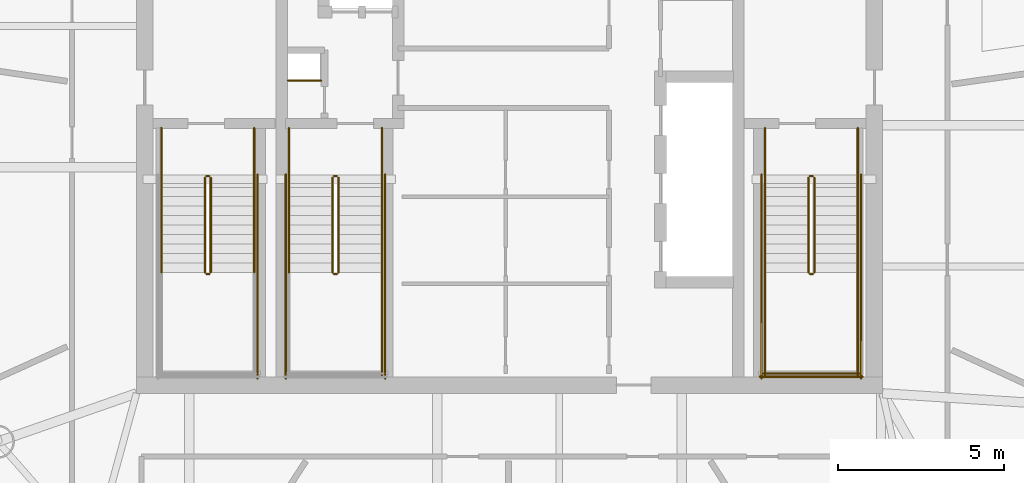
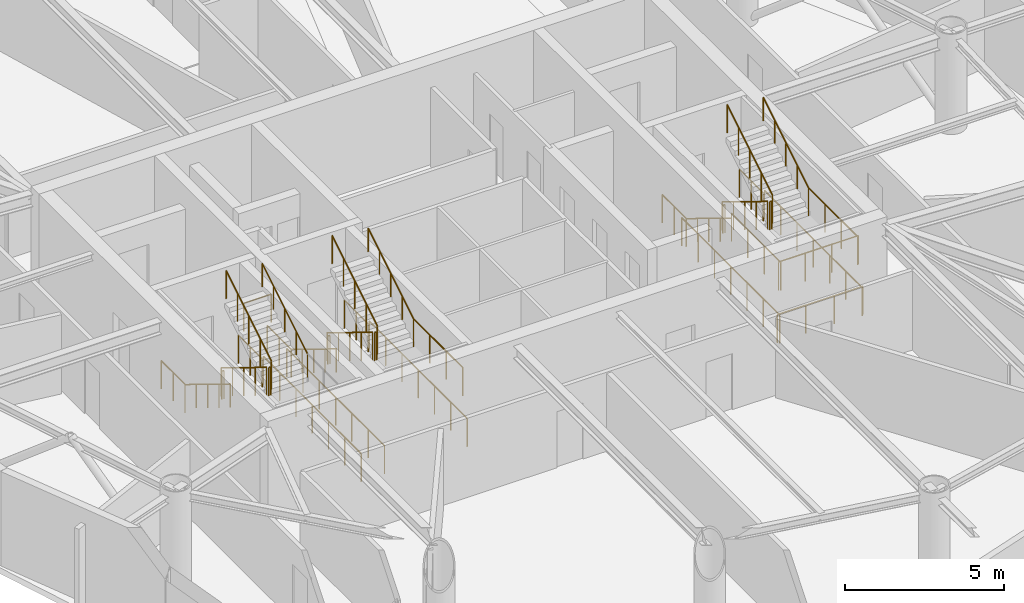
# One storey, part 18 of 19: 35 railings.
"""IFC4 building model written with IfcOpenShell, lengths in metres."""

from ifc_helpers import new_model, si_unit, direction, frame, origin, origin_2d, place, context, subcontext, project, spatial, circle, extrude, material, type_object, element, save


model = new_model("IFC4")

# Units and contexts
model_context = context("Model", 3, precision=1e-05, world=origin(), true_north=direction((0.0, 1.0)))
body_context = subcontext(model_context, "Body", "Model", "MODEL_VIEW")
ifc_project = project(units=[si_unit("LENGTHUNIT", "METRE"), si_unit("AREAUNIT", "SQUARE_METRE"), si_unit("VOLUMEUNIT", "CUBIC_METRE"), si_unit("PLANEANGLEUNIT", "RADIAN"), si_unit("MASSUNIT", "GRAM", prefix="KILO")], contexts=[model_context])

# Site, building, storey
site_placement = place(None, origin())
site = spatial("IfcSite", under=ifc_project, at=site_placement, CompositionType="ELEMENT")
building_placement = place(site_placement, origin())
building = spatial("IfcBuilding", under=site, at=building_placement, Name="Bramvorn Convention Spire", CompositionType="ELEMENT")
storey_placement = place(building_placement, frame((0.0, 0.0, 272.85009765625)))
storey = spatial("IfcBuildingStorey", under=building, at=storey_placement, Name="L69", CompositionType="ELEMENT", Elevation=272.85009765625)

# Railings
ifc_material_1 = material(Name="Painted Steel Balustrade & Guardrail", Category="steel")
railing_type_1 = type_object("IfcRailingType", Name="RL-STAIR-GUARD-1100", PredefinedType="GUARDRAIL", material=ifc_material_1)
railing_1_placement = place(storey_placement, frame((28.81005859375, 25.050048828125, 0.1748046875)))
element("IfcRailing", 1, at=railing_1_placement, inside=storey, type_object=railing_type_1, Name="L69 ST1 stair guard 1", PredefinedType="GUARDRAIL", context=body_context, shape_type="SweptSolid", body=[
    extrude(circle(Radius=0.02392578125, at=origin_2d()), frame((0.0, 0.0, 1.076171875), z_axis=(0.0, -0.852179220489, 0.52325001306), x_axis=(1.0, 0.0, 0.0)), (0.0, 0.0, 1.0), 3.344482421875),
    extrude(circle(Radius=0.02099609375, at=origin_2d()), origin(), (0.0, 0.0, 1.0), 1.052001953125),
    extrude(circle(Radius=0.02099609375, at=origin_2d()), frame((0.0, -0.71240234375, 0.4375)), (0.0, 0.0, 1.0), 1.052001953125),
    extrude(circle(Radius=0.02099609375, at=origin_2d()), frame((0.0, -1.425048828125, 0.875)), (0.0, 0.0, 1.0), 1.052001953125),
    extrude(circle(Radius=0.02099609375, at=origin_2d()), frame((0.0, -2.1376953125, 1.3125)), (0.0, 0.0, 1.0), 1.052001953125),
    extrude(circle(Radius=0.02099609375, at=origin_2d()), frame((0.0, -2.85009765625, 1.75)), (0.0, 0.0, 1.0), 1.052001953125),
])
railing_2_placement = place(storey_placement, frame((28.860107421875, 22.14990234375, 1.9248046875)))
element("IfcRailing", 2, at=railing_2_placement, inside=storey, type_object=railing_type_1, Name="L69 ST1 stair guard 2", PredefinedType="GUARDRAIL", context=body_context, shape_type="SweptSolid", body=[
    extrude(circle(Radius=0.02392578125, at=origin_2d()), frame((0.0, 0.0, 1.076171875), z_axis=(1.0, 0.0, 0.0), x_axis=(0.0, 1.0, 0.0)), (0.0, 0.0, 1.0), 0.079833984375),
    extrude(circle(Radius=0.02099609375, at=origin_2d()), origin(), (0.0, 0.0, 1.0), 1.052001953125),
    extrude(circle(Radius=0.02099609375, at=origin_2d()), frame((0.079833984375, 0.0, 0.0)), (0.0, 0.0, 1.0), 1.052001953125),
])
railing_3_placement = place(storey_placement, frame((28.989990234375, 22.199951171875, 2.099853515625)))
element("IfcRailing", 3, at=railing_3_placement, inside=storey, type_object=railing_type_1, Name="L69 ST1 stair guard 6", PredefinedType="GUARDRAIL", context=body_context, shape_type="SweptSolid", body=[
    extrude(circle(Radius=0.02392578125, at=origin_2d()), frame((0.0, 0.0, 1.076171875), z_axis=(0.0, 0.852179220489, 0.52325001306), x_axis=(-1.0, 0.0, 0.0)), (0.0, 0.0, 1.0), 3.344482421875),
    extrude(circle(Radius=0.02099609375, at=origin_2d()), origin(), (0.0, 0.0, 1.0), 1.052001953125),
    extrude(circle(Radius=0.02099609375, at=origin_2d()), frame((0.0, 0.71240234375, 0.4375)), (0.0, 0.0, 1.0), 1.052001953125),
    extrude(circle(Radius=0.02099609375, at=origin_2d()), frame((0.0, 1.425048828125, 0.875)), (0.0, 0.0, 1.0), 1.052001953125),
    extrude(circle(Radius=0.02099609375, at=origin_2d()), frame((0.0, 2.1376953125, 1.3125)), (0.0, 0.0, 1.0), 1.052001953125),
    extrude(circle(Radius=0.02099609375, at=origin_2d()), frame((0.0, 2.85009765625, 1.75)), (0.0, 0.0, 1.0), 1.052001953125),
])
railing_4_placement = place(storey_placement, frame((28.860107421875, 25.10009765625, 0.0)))
element("IfcRailing", 4, at=railing_4_placement, inside=storey, type_object=railing_type_1, Name="L69 ST1 stair guard 7", PredefinedType="GUARDRAIL", context=body_context, shape_type="SweptSolid", body=[
    extrude(circle(Radius=0.02392578125, at=origin_2d()), frame((0.0, 0.0, 1.076171875), z_axis=(1.0, 0.0, 0.0), x_axis=(0.0, 1.0, 0.0)), (0.0, 0.0, 1.0), 0.079833984375),
    extrude(circle(Radius=0.02099609375, at=origin_2d()), origin(), (0.0, 0.0, 1.0), 1.052001953125),
    extrude(circle(Radius=0.02099609375, at=origin_2d()), frame((0.079833984375, 0.0, 0.0)), (0.0, 0.0, 1.0), 1.052001953125),
])
for number, where, name in (
    (5, (27.5, 26.550048828125, 0.0), "L69 ST1 stair guard 8"),
    (6, (30.300048828125, 26.550048828125, 0.0), "L69 ST1 stair guard 9"),
):
    element("IfcRailing", number, at=place(storey_placement, frame(where)), inside=storey, type_object=railing_type_1, Name=name, PredefinedType="GUARDRAIL", context=body_context, shape_type="SweptSolid", body=[
        extrude(circle(Radius=0.02392578125, at=origin_2d()), frame((0.0, 0.0, 1.076171875), z_axis=(0.0, -1.0, 0.0), x_axis=(1.0, 0.0, 0.0)), (0.0, 0.0, 1.0), 1.5),
        extrude(circle(Radius=0.02099609375, at=origin_2d()), origin(), (0.0, 0.0, 1.0), 1.052001953125),
        extrude(circle(Radius=0.02099609375, at=origin_2d()), frame((0.0, -0.75, 0.0)), (0.0, 0.0, 1.0), 1.052001953125),
        extrude(circle(Radius=0.02099609375, at=origin_2d()), frame((0.0, -1.5, 0.0)), (0.0, 0.0, 1.0), 1.052001953125),
    ])
railing_5_placement = place(storey_placement, frame((30.39990234375, 25.14990234375, 0.0)))
element("IfcRailing", 7, at=railing_5_placement, inside=storey, type_object=railing_type_1, Name="L69 ST1 stair guard 11", PredefinedType="GUARDRAIL", context=body_context, shape_type="SweptSolid", body=[
    extrude(circle(Radius=0.02392578125, at=origin_2d()), frame((0.0, 0.0, 1.076171875), z_axis=(0.0, -1.0, 0.0), x_axis=(1.0, 0.0, 0.0)), (0.0, 0.0, 1.0), 6.14990234375),
    extrude(circle(Radius=0.02099609375, at=origin_2d()), origin(), (0.0, 0.0, 1.0), 1.052001953125),
    extrude(circle(Radius=0.02099609375, at=origin_2d()), frame((0.0, -1.02490234375, 0.0)), (0.0, 0.0, 1.0), 1.052001953125),
    extrude(circle(Radius=0.02099609375, at=origin_2d()), frame((0.0, -2.050048828125, 0.0)), (0.0, 0.0, 1.0), 1.052001953125),
    extrude(circle(Radius=0.02099609375, at=origin_2d()), frame((0.0, -3.074951171875, 0.0)), (0.0, 0.0, 1.0), 1.052001953125),
    extrude(circle(Radius=0.02099609375, at=origin_2d()), frame((0.0, -4.099853515625, 0.0)), (0.0, 0.0, 1.0), 1.052001953125),
    extrude(circle(Radius=0.02099609375, at=origin_2d()), frame((0.0, -5.125, 0.0)), (0.0, 0.0, 1.0), 1.052001953125),
    extrude(circle(Radius=0.02099609375, at=origin_2d()), frame((0.0, -6.14990234375, 0.0)), (0.0, 0.0, 1.0), 1.052001953125),
])
railing_6_placement = place(storey_placement, frame((47.010009765625, 25.050048828125, 0.1748046875)))
element("IfcRailing", 8, at=railing_6_placement, inside=storey, type_object=railing_type_1, Name="L69 ST2 stair guard 1", PredefinedType="GUARDRAIL", context=body_context, shape_type="SweptSolid", body=[
    extrude(circle(Radius=0.02392578125, at=origin_2d()), frame((0.0, 0.0, 1.076171875), z_axis=(0.0, -0.852179220489, 0.52325001306), x_axis=(1.0, 0.0, 0.0)), (0.0, 0.0, 1.0), 3.344482421875),
    extrude(circle(Radius=0.02099609375, at=origin_2d()), origin(), (0.0, 0.0, 1.0), 1.052001953125),
    extrude(circle(Radius=0.02099609375, at=origin_2d()), frame((0.0, -0.71240234375, 0.4375)), (0.0, 0.0, 1.0), 1.052001953125),
    extrude(circle(Radius=0.02099609375, at=origin_2d()), frame((0.0, -1.425048828125, 0.875)), (0.0, 0.0, 1.0), 1.052001953125),
    extrude(circle(Radius=0.02099609375, at=origin_2d()), frame((0.0, -2.1376953125, 1.3125)), (0.0, 0.0, 1.0), 1.052001953125),
    extrude(circle(Radius=0.02099609375, at=origin_2d()), frame((0.0, -2.85009765625, 1.75)), (0.0, 0.0, 1.0), 1.052001953125),
])
railing_7_placement = place(storey_placement, frame((47.06005859375, 22.14990234375, 1.9248046875)))
element("IfcRailing", 9, at=railing_7_placement, inside=storey, type_object=railing_type_1, Name="L69 ST2 stair guard 2", PredefinedType="GUARDRAIL", context=body_context, shape_type="SweptSolid", body=[
    extrude(circle(Radius=0.02392578125, at=origin_2d()), frame((0.0, 0.0, 1.076171875), z_axis=(1.0, 0.0, 0.0), x_axis=(0.0, 1.0, 0.0)), (0.0, 0.0, 1.0), 0.079833984375),
    extrude(circle(Radius=0.02099609375, at=origin_2d()), origin(), (0.0, 0.0, 1.0), 1.052001953125),
    extrude(circle(Radius=0.02099609375, at=origin_2d()), frame((0.079833984375, 0.0, 0.0)), (0.0, 0.0, 1.0), 1.052001953125),
])
for number, where, name in (
    (10, (45.699951171875, 22.199951171875, 1.9248046875), "L69 ST2 stair guard 3"),
    (11, (48.5, 22.199951171875, 1.9248046875), "L69 ST2 stair guard 4"),
):
    element("IfcRailing", number, at=place(storey_placement, frame(where)), inside=storey, type_object=railing_type_1, Name=name, PredefinedType="GUARDRAIL", context=body_context, shape_type="SweptSolid", body=[
        extrude(circle(Radius=0.02392578125, at=origin_2d()), frame((0.0, 0.0, 1.076171875), z_axis=(0.0, -1.0, 0.0), x_axis=(1.0, 0.0, 0.0)), (0.0, 0.0, 1.0), 3.099853515625),
        extrude(circle(Radius=0.02099609375, at=origin_2d()), origin(), (0.0, 0.0, 1.0), 1.052001953125),
        extrude(circle(Radius=0.02099609375, at=origin_2d()), frame((0.0, -1.033203125, 0.0)), (0.0, 0.0, 1.0), 1.052001953125),
        extrude(circle(Radius=0.02099609375, at=origin_2d()), frame((0.0, -2.066650390625, 0.0)), (0.0, 0.0, 1.0), 1.052001953125),
        extrude(circle(Radius=0.02099609375, at=origin_2d()), frame((0.0, -3.099853515625, 0.0)), (0.0, 0.0, 1.0), 1.052001953125),
    ])
railing_8_placement = place(storey_placement, frame((45.64990234375, 19.14990234375, 1.9248046875)))
element("IfcRailing", 12, at=railing_8_placement, inside=storey, type_object=railing_type_1, Name="L69 ST2 stair guard 5", PredefinedType="GUARDRAIL", context=body_context, shape_type="SweptSolid", body=[
    extrude(circle(Radius=0.02392578125, at=origin_2d()), frame((0.0, 0.0, 1.076171875), z_axis=(1.0, 0.0, 0.0), x_axis=(0.0, 1.0, 0.0)), (0.0, 0.0, 1.0), 2.900146484375),
    extrude(circle(Radius=0.02099609375, at=origin_2d()), origin(), (0.0, 0.0, 1.0), 1.052001953125),
    extrude(circle(Radius=0.02099609375, at=origin_2d()), frame((0.966796875, 0.0, 0.0)), (0.0, 0.0, 1.0), 1.052001953125),
    extrude(circle(Radius=0.02099609375, at=origin_2d()), frame((1.933349609375, 0.0, 0.0)), (0.0, 0.0, 1.0), 1.052001953125),
    extrude(circle(Radius=0.02099609375, at=origin_2d()), frame((2.900146484375, 0.0, 0.0)), (0.0, 0.0, 1.0), 1.052001953125),
])
railing_9_placement = place(storey_placement, frame((47.18994140625, 22.199951171875, 2.099853515625)))
element("IfcRailing", 13, at=railing_9_placement, inside=storey, type_object=railing_type_1, Name="L69 ST2 stair guard 6", PredefinedType="GUARDRAIL", context=body_context, shape_type="SweptSolid", body=[
    extrude(circle(Radius=0.02392578125, at=origin_2d()), frame((0.0, 0.0, 1.076171875), z_axis=(0.0, 0.852179220489, 0.52325001306), x_axis=(-1.0, 0.0, 0.0)), (0.0, 0.0, 1.0), 3.344482421875),
    extrude(circle(Radius=0.02099609375, at=origin_2d()), origin(), (0.0, 0.0, 1.0), 1.052001953125),
    extrude(circle(Radius=0.02099609375, at=origin_2d()), frame((0.0, 0.71240234375, 0.4375)), (0.0, 0.0, 1.0), 1.052001953125),
    extrude(circle(Radius=0.02099609375, at=origin_2d()), frame((0.0, 1.425048828125, 0.875)), (0.0, 0.0, 1.0), 1.052001953125),
    extrude(circle(Radius=0.02099609375, at=origin_2d()), frame((0.0, 2.1376953125, 1.3125)), (0.0, 0.0, 1.0), 1.052001953125),
    extrude(circle(Radius=0.02099609375, at=origin_2d()), frame((0.0, 2.85009765625, 1.75)), (0.0, 0.0, 1.0), 1.052001953125),
])
railing_10_placement = place(storey_placement, frame((47.06005859375, 25.10009765625, 0.0)))
element("IfcRailing", 14, at=railing_10_placement, inside=storey, type_object=railing_type_1, Name="L69 ST2 stair guard 7", PredefinedType="GUARDRAIL", context=body_context, shape_type="SweptSolid", body=[
    extrude(circle(Radius=0.02392578125, at=origin_2d()), frame((0.0, 0.0, 1.076171875), z_axis=(1.0, 0.0, 0.0), x_axis=(0.0, 1.0, 0.0)), (0.0, 0.0, 1.0), 0.079833984375),
    extrude(circle(Radius=0.02099609375, at=origin_2d()), origin(), (0.0, 0.0, 1.0), 1.052001953125),
    extrude(circle(Radius=0.02099609375, at=origin_2d()), frame((0.079833984375, 0.0, 0.0)), (0.0, 0.0, 1.0), 1.052001953125),
])
for number, where, name in (
    (15, (45.699951171875, 26.550048828125, 0.0), "L69 ST2 stair guard 8"),
    (16, (48.5, 26.550048828125, 0.0), "L69 ST2 stair guard 9"),
):
    element("IfcRailing", number, at=place(storey_placement, frame(where)), inside=storey, type_object=railing_type_1, Name=name, PredefinedType="GUARDRAIL", context=body_context, shape_type="SweptSolid", body=[
        extrude(circle(Radius=0.02392578125, at=origin_2d()), frame((0.0, 0.0, 1.076171875), z_axis=(0.0, -1.0, 0.0), x_axis=(1.0, 0.0, 0.0)), (0.0, 0.0, 1.0), 1.5),
        extrude(circle(Radius=0.02099609375, at=origin_2d()), origin(), (0.0, 0.0, 1.0), 1.052001953125),
        extrude(circle(Radius=0.02099609375, at=origin_2d()), frame((0.0, -0.75, 0.0)), (0.0, 0.0, 1.0), 1.052001953125),
        extrude(circle(Radius=0.02099609375, at=origin_2d()), frame((0.0, -1.5, 0.0)), (0.0, 0.0, 1.0), 1.052001953125),
    ])
for number, where, name in (
    (17, (45.60009765625, 25.14990234375, 0.0), "L69 ST2 stair guard 10"),
    (18, (48.60009765625, 25.14990234375, 0.0), "L69 ST2 stair guard 11"),
):
    element("IfcRailing", number, at=place(storey_placement, frame(where)), inside=storey, type_object=railing_type_1, Name=name, PredefinedType="GUARDRAIL", context=body_context, shape_type="SweptSolid", body=[
        extrude(circle(Radius=0.02392578125, at=origin_2d()), frame((0.0, 0.0, 1.076171875), z_axis=(0.0, -1.0, 0.0), x_axis=(1.0, 0.0, 0.0)), (0.0, 0.0, 1.0), 6.14990234375),
        extrude(circle(Radius=0.02099609375, at=origin_2d()), origin(), (0.0, 0.0, 1.0), 1.052001953125),
        extrude(circle(Radius=0.02099609375, at=origin_2d()), frame((0.0, -1.02490234375, 0.0)), (0.0, 0.0, 1.0), 1.052001953125),
        extrude(circle(Radius=0.02099609375, at=origin_2d()), frame((0.0, -2.050048828125, 0.0)), (0.0, 0.0, 1.0), 1.052001953125),
        extrude(circle(Radius=0.02099609375, at=origin_2d()), frame((0.0, -3.074951171875, 0.0)), (0.0, 0.0, 1.0), 1.052001953125),
        extrude(circle(Radius=0.02099609375, at=origin_2d()), frame((0.0, -4.099853515625, 0.0)), (0.0, 0.0, 1.0), 1.052001953125),
        extrude(circle(Radius=0.02099609375, at=origin_2d()), frame((0.0, -5.125, 0.0)), (0.0, 0.0, 1.0), 1.052001953125),
        extrude(circle(Radius=0.02099609375, at=origin_2d()), frame((0.0, -6.14990234375, 0.0)), (0.0, 0.0, 1.0), 1.052001953125),
    ])
railing_11_placement = place(storey_placement, frame((45.550048828125, 19.050048828125, 0.0)))
element("IfcRailing", 19, at=railing_11_placement, inside=storey, type_object=railing_type_1, Name="L69 ST2 stair guard 12", PredefinedType="GUARDRAIL", context=body_context, shape_type="SweptSolid", body=[
    extrude(circle(Radius=0.02392578125, at=origin_2d()), frame((0.0, 0.0, 1.076171875), z_axis=(1.0, 0.0, 0.0), x_axis=(0.0, 1.0, 0.0)), (0.0, 0.0, 1.0), 3.099853515625),
    extrude(circle(Radius=0.02099609375, at=origin_2d()), origin(), (0.0, 0.0, 1.0), 1.052001953125),
    extrude(circle(Radius=0.02099609375, at=origin_2d()), frame((1.033203125, 0.0, 0.0)), (0.0, 0.0, 1.0), 1.052001953125),
    extrude(circle(Radius=0.02099609375, at=origin_2d()), frame((2.066650390625, 0.0, 0.0)), (0.0, 0.0, 1.0), 1.052001953125),
    extrude(circle(Radius=0.02099609375, at=origin_2d()), frame((3.099853515625, 0.0, 0.0)), (0.0, 0.0, 1.0), 1.052001953125),
])
railing_12_placement = place(storey_placement, frame((32.659912109375, 25.050048828125, 0.1748046875)))
element("IfcRailing", 20, at=railing_12_placement, inside=storey, type_object=railing_type_1, Name="L69 ST3 stair guard 1", PredefinedType="GUARDRAIL", context=body_context, shape_type="SweptSolid", body=[
    extrude(circle(Radius=0.02392578125, at=origin_2d()), frame((0.0, 0.0, 1.076171875), z_axis=(0.0, -0.852179220489, 0.52325001306), x_axis=(1.0, 0.0, 0.0)), (0.0, 0.0, 1.0), 3.344482421875),
    extrude(circle(Radius=0.02099609375, at=origin_2d()), origin(), (0.0, 0.0, 1.0), 1.052001953125),
    extrude(circle(Radius=0.02099609375, at=origin_2d()), frame((0.0, -0.71240234375, 0.4375)), (0.0, 0.0, 1.0), 1.052001953125),
    extrude(circle(Radius=0.02099609375, at=origin_2d()), frame((0.0, -1.425048828125, 0.875)), (0.0, 0.0, 1.0), 1.052001953125),
    extrude(circle(Radius=0.02099609375, at=origin_2d()), frame((0.0, -2.1376953125, 1.3125)), (0.0, 0.0, 1.0), 1.052001953125),
    extrude(circle(Radius=0.02099609375, at=origin_2d()), frame((0.0, -2.85009765625, 1.75)), (0.0, 0.0, 1.0), 1.052001953125),
])
railing_13_placement = place(storey_placement, frame((32.7099609375, 22.14990234375, 1.9248046875)))
element("IfcRailing", 21, at=railing_13_placement, inside=storey, type_object=railing_type_1, Name="L69 ST3 stair guard 2", PredefinedType="GUARDRAIL", context=body_context, shape_type="SweptSolid", body=[
    extrude(circle(Radius=0.02392578125, at=origin_2d()), frame((0.0, 0.0, 1.076171875), z_axis=(1.0, 0.0, 0.0), x_axis=(0.0, 1.0, 0.0)), (0.0, 0.0, 1.0), 0.080078125),
    extrude(circle(Radius=0.02099609375, at=origin_2d()), origin(), (0.0, 0.0, 1.0), 1.052001953125),
    extrude(circle(Radius=0.02099609375, at=origin_2d()), frame((0.080078125, 0.0, 0.0)), (0.0, 0.0, 1.0), 1.052001953125),
])
railing_14_placement = place(storey_placement, frame((34.14990234375, 22.199951171875, 1.9248046875)))
element("IfcRailing", 22, at=railing_14_placement, inside=storey, type_object=railing_type_1, Name="L69 ST3 stair guard 4", PredefinedType="GUARDRAIL", context=body_context, shape_type="SweptSolid", body=[
    extrude(circle(Radius=0.02392578125, at=origin_2d()), frame((0.0, 0.0, 1.076171875), z_axis=(0.0, -1.0, 0.0), x_axis=(1.0, 0.0, 0.0)), (0.0, 0.0, 1.0), 3.099853515625),
    extrude(circle(Radius=0.02099609375, at=origin_2d()), origin(), (0.0, 0.0, 1.0), 1.052001953125),
    extrude(circle(Radius=0.02099609375, at=origin_2d()), frame((0.0, -1.033203125, 0.0)), (0.0, 0.0, 1.0), 1.052001953125),
    extrude(circle(Radius=0.02099609375, at=origin_2d()), frame((0.0, -2.066650390625, 0.0)), (0.0, 0.0, 1.0), 1.052001953125),
    extrude(circle(Radius=0.02099609375, at=origin_2d()), frame((0.0, -3.099853515625, 0.0)), (0.0, 0.0, 1.0), 1.052001953125),
])
railing_15_placement = place(storey_placement, frame((32.840087890625, 22.199951171875, 2.099853515625)))
element("IfcRailing", 23, at=railing_15_placement, inside=storey, type_object=railing_type_1, Name="L69 ST3 stair guard 6", PredefinedType="GUARDRAIL", context=body_context, shape_type="SweptSolid", body=[
    extrude(circle(Radius=0.02392578125, at=origin_2d()), frame((0.0, 0.0, 1.076171875), z_axis=(0.0, 0.852179220489, 0.52325001306), x_axis=(-1.0, 0.0, 0.0)), (0.0, 0.0, 1.0), 3.344482421875),
    extrude(circle(Radius=0.02099609375, at=origin_2d()), origin(), (0.0, 0.0, 1.0), 1.052001953125),
    extrude(circle(Radius=0.02099609375, at=origin_2d()), frame((0.0, 0.71240234375, 0.4375)), (0.0, 0.0, 1.0), 1.052001953125),
    extrude(circle(Radius=0.02099609375, at=origin_2d()), frame((0.0, 1.425048828125, 0.875)), (0.0, 0.0, 1.0), 1.052001953125),
    extrude(circle(Radius=0.02099609375, at=origin_2d()), frame((0.0, 2.1376953125, 1.3125)), (0.0, 0.0, 1.0), 1.052001953125),
    extrude(circle(Radius=0.02099609375, at=origin_2d()), frame((0.0, 2.85009765625, 1.75)), (0.0, 0.0, 1.0), 1.052001953125),
])
railing_16_placement = place(storey_placement, frame((32.7099609375, 25.10009765625, 0.0)))
element("IfcRailing", 24, at=railing_16_placement, inside=storey, type_object=railing_type_1, Name="L69 ST3 stair guard 7", PredefinedType="GUARDRAIL", context=body_context, shape_type="SweptSolid", body=[
    extrude(circle(Radius=0.02392578125, at=origin_2d()), frame((0.0, 0.0, 1.076171875), z_axis=(1.0, 0.0, 0.0), x_axis=(0.0, 1.0, 0.0)), (0.0, 0.0, 1.0), 0.080078125),
    extrude(circle(Radius=0.02099609375, at=origin_2d()), origin(), (0.0, 0.0, 1.0), 1.052001953125),
    extrude(circle(Radius=0.02099609375, at=origin_2d()), frame((0.080078125, 0.0, 0.0)), (0.0, 0.0, 1.0), 1.052001953125),
])
for number, where, name in (
    (25, (31.35009765625, 26.550048828125, 0.0), "L69 ST3 stair guard 8"),
    (26, (34.14990234375, 26.550048828125, 0.0), "L69 ST3 stair guard 9"),
):
    element("IfcRailing", number, at=place(storey_placement, frame(where)), inside=storey, type_object=railing_type_1, Name=name, PredefinedType="GUARDRAIL", context=body_context, shape_type="SweptSolid", body=[
        extrude(circle(Radius=0.02392578125, at=origin_2d()), frame((0.0, 0.0, 1.076171875), z_axis=(0.0, -1.0, 0.0), x_axis=(1.0, 0.0, 0.0)), (0.0, 0.0, 1.0), 1.5),
        extrude(circle(Radius=0.02099609375, at=origin_2d()), origin(), (0.0, 0.0, 1.0), 1.052001953125),
        extrude(circle(Radius=0.02099609375, at=origin_2d()), frame((0.0, -0.75, 0.0)), (0.0, 0.0, 1.0), 1.052001953125),
        extrude(circle(Radius=0.02099609375, at=origin_2d()), frame((0.0, -1.5, 0.0)), (0.0, 0.0, 1.0), 1.052001953125),
    ])
for number, where, name in (
    (27, (31.25, 25.14990234375, 0.0), "L69 ST3 stair guard 10"),
    (28, (34.25, 25.14990234375, 0.0), "L69 ST3 stair guard 11"),
):
    element("IfcRailing", number, at=place(storey_placement, frame(where)), inside=storey, type_object=railing_type_1, Name=name, PredefinedType="GUARDRAIL", context=body_context, shape_type="SweptSolid", body=[
        extrude(circle(Radius=0.02392578125, at=origin_2d()), frame((0.0, 0.0, 1.076171875), z_axis=(0.0, -1.0, 0.0), x_axis=(1.0, 0.0, 0.0)), (0.0, 0.0, 1.0), 6.14990234375),
        extrude(circle(Radius=0.02099609375, at=origin_2d()), origin(), (0.0, 0.0, 1.0), 1.052001953125),
        extrude(circle(Radius=0.02099609375, at=origin_2d()), frame((0.0, -1.02490234375, 0.0)), (0.0, 0.0, 1.0), 1.052001953125),
        extrude(circle(Radius=0.02099609375, at=origin_2d()), frame((0.0, -2.050048828125, 0.0)), (0.0, 0.0, 1.0), 1.052001953125),
        extrude(circle(Radius=0.02099609375, at=origin_2d()), frame((0.0, -3.074951171875, 0.0)), (0.0, 0.0, 1.0), 1.052001953125),
        extrude(circle(Radius=0.02099609375, at=origin_2d()), frame((0.0, -4.099853515625, 0.0)), (0.0, 0.0, 1.0), 1.052001953125),
        extrude(circle(Radius=0.02099609375, at=origin_2d()), frame((0.0, -5.125, 0.0)), (0.0, 0.0, 1.0), 1.052001953125),
        extrude(circle(Radius=0.02099609375, at=origin_2d()), frame((0.0, -6.14990234375, 0.0)), (0.0, 0.0, 1.0), 1.052001953125),
    ])
railing_17_placement = place(storey_placement, frame((31.320068359375, 27.97998046875, 0.0)))
element("IfcRailing", 29, at=railing_17_placement, inside=storey, type_object=railing_type_1, Name="L69 Telecom riser shaft opening safety guardrail", PredefinedType="GUARDRAIL", context=body_context, shape_type="SweptSolid", body=[
    extrude(circle(Radius=0.02392578125, at=origin_2d()), frame((0.0, 0.0, 1.076171875), z_axis=(1.0, 0.0, 0.0), x_axis=(0.0, 1.0, 0.0)), (0.0, 0.0, 1.0), 1.0),
    extrude(circle(Radius=0.02099609375, at=origin_2d()), origin(), (0.0, 0.0, 1.0), 1.052001953125),
    extrude(circle(Radius=0.02099609375, at=origin_2d()), frame((1.0, 0.0, 0.0)), (0.0, 0.0, 1.0), 1.052001953125),
])
ifc_material_2 = material(Name="Brushed Bronze Tubular Handrail", Category="aluminium")
railing_type_2 = type_object("IfcRailingType", Name="RL-STAIR-HR-920", PredefinedType="HANDRAIL", material=ifc_material_2)
railing_18_placement = place(storey_placement, frame((27.5, 25.050048828125, 0.1748046875)))
element("IfcRailing", 30, at=railing_18_placement, inside=storey, type_object=railing_type_2, Name="L69 ST1 stair handrail 1", PredefinedType="HANDRAIL", context=body_context, shape_type="SweptSolid", body=[
    extrude(circle(Radius=0.02392578125, at=origin_2d()), frame((0.0, 0.0, 0.89599609375), z_axis=(0.0, -0.852179220489, 0.52325001306), x_axis=(1.0, 0.0, 0.0)), (0.0, 0.0, 1.0), 3.344482421875),
    extrude(circle(Radius=0.02099609375, at=origin_2d()), origin(), (0.0, 0.0, 1.0), 0.871826171875),
    extrude(circle(Radius=0.02099609375, at=origin_2d()), frame((0.0, -0.71240234375, 0.4375)), (0.0, 0.0, 1.0), 0.871826171875),
    extrude(circle(Radius=0.02099609375, at=origin_2d()), frame((0.0, -1.425048828125, 0.875)), (0.0, 0.0, 1.0), 0.871826171875),
    extrude(circle(Radius=0.02099609375, at=origin_2d()), frame((0.0, -2.1376953125, 1.3125)), (0.0, 0.0, 1.0), 0.871826171875),
    extrude(circle(Radius=0.02099609375, at=origin_2d()), frame((0.0, -2.85009765625, 1.75)), (0.0, 0.0, 1.0), 0.871826171875),
])
railing_19_placement = place(storey_placement, frame((30.300048828125, 22.199951171875, 2.099853515625)))
element("IfcRailing", 31, at=railing_19_placement, inside=storey, type_object=railing_type_2, Name="L69 ST1 stair handrail 2", PredefinedType="HANDRAIL", context=body_context, shape_type="SweptSolid", body=[
    extrude(circle(Radius=0.02392578125, at=origin_2d()), frame((0.0, 0.0, 0.89599609375), z_axis=(0.0, 0.852179220489, 0.52325001306), x_axis=(-1.0, 0.0, 0.0)), (0.0, 0.0, 1.0), 3.344482421875),
    extrude(circle(Radius=0.02099609375, at=origin_2d()), origin(), (0.0, 0.0, 1.0), 0.871826171875),
    extrude(circle(Radius=0.02099609375, at=origin_2d()), frame((0.0, 0.71240234375, 0.4375)), (0.0, 0.0, 1.0), 0.871826171875),
    extrude(circle(Radius=0.02099609375, at=origin_2d()), frame((0.0, 1.425048828125, 0.875)), (0.0, 0.0, 1.0), 0.871826171875),
    extrude(circle(Radius=0.02099609375, at=origin_2d()), frame((0.0, 2.1376953125, 1.3125)), (0.0, 0.0, 1.0), 0.871826171875),
    extrude(circle(Radius=0.02099609375, at=origin_2d()), frame((0.0, 2.85009765625, 1.75)), (0.0, 0.0, 1.0), 0.871826171875),
])
railing_20_placement = place(storey_placement, frame((45.699951171875, 25.050048828125, 0.1748046875)))
element("IfcRailing", 32, at=railing_20_placement, inside=storey, type_object=railing_type_2, Name="L69 ST2 stair handrail 1", PredefinedType="HANDRAIL", context=body_context, shape_type="SweptSolid", body=[
    extrude(circle(Radius=0.02392578125, at=origin_2d()), frame((0.0, 0.0, 0.89599609375), z_axis=(0.0, -0.852179220489, 0.52325001306), x_axis=(1.0, 0.0, 0.0)), (0.0, 0.0, 1.0), 3.344482421875),
    extrude(circle(Radius=0.02099609375, at=origin_2d()), origin(), (0.0, 0.0, 1.0), 0.871826171875),
    extrude(circle(Radius=0.02099609375, at=origin_2d()), frame((0.0, -0.71240234375, 0.4375)), (0.0, 0.0, 1.0), 0.871826171875),
    extrude(circle(Radius=0.02099609375, at=origin_2d()), frame((0.0, -1.425048828125, 0.875)), (0.0, 0.0, 1.0), 0.871826171875),
    extrude(circle(Radius=0.02099609375, at=origin_2d()), frame((0.0, -2.1376953125, 1.3125)), (0.0, 0.0, 1.0), 0.871826171875),
    extrude(circle(Radius=0.02099609375, at=origin_2d()), frame((0.0, -2.85009765625, 1.75)), (0.0, 0.0, 1.0), 0.871826171875),
])
railing_21_placement = place(storey_placement, frame((48.5, 22.199951171875, 2.099853515625)))
element("IfcRailing", 33, at=railing_21_placement, inside=storey, type_object=railing_type_2, Name="L69 ST2 stair handrail 2", PredefinedType="HANDRAIL", context=body_context, shape_type="SweptSolid", body=[
    extrude(circle(Radius=0.02392578125, at=origin_2d()), frame((0.0, 0.0, 0.89599609375), z_axis=(0.0, 0.852179220489, 0.52325001306), x_axis=(-1.0, 0.0, 0.0)), (0.0, 0.0, 1.0), 3.344482421875),
    extrude(circle(Radius=0.02099609375, at=origin_2d()), origin(), (0.0, 0.0, 1.0), 0.871826171875),
    extrude(circle(Radius=0.02099609375, at=origin_2d()), frame((0.0, 0.71240234375, 0.4375)), (0.0, 0.0, 1.0), 0.871826171875),
    extrude(circle(Radius=0.02099609375, at=origin_2d()), frame((0.0, 1.425048828125, 0.875)), (0.0, 0.0, 1.0), 0.871826171875),
    extrude(circle(Radius=0.02099609375, at=origin_2d()), frame((0.0, 2.1376953125, 1.3125)), (0.0, 0.0, 1.0), 0.871826171875),
    extrude(circle(Radius=0.02099609375, at=origin_2d()), frame((0.0, 2.85009765625, 1.75)), (0.0, 0.0, 1.0), 0.871826171875),
])
railing_22_placement = place(storey_placement, frame((31.35009765625, 25.050048828125, 0.1748046875)))
element("IfcRailing", 34, at=railing_22_placement, inside=storey, type_object=railing_type_2, Name="L69 ST3 stair handrail 1", PredefinedType="HANDRAIL", context=body_context, shape_type="SweptSolid", body=[
    extrude(circle(Radius=0.02392578125, at=origin_2d()), frame((0.0, 0.0, 0.89599609375), z_axis=(0.0, -0.852179220489, 0.52325001306), x_axis=(1.0, 0.0, 0.0)), (0.0, 0.0, 1.0), 3.344482421875),
    extrude(circle(Radius=0.02099609375, at=origin_2d()), origin(), (0.0, 0.0, 1.0), 0.871826171875),
    extrude(circle(Radius=0.02099609375, at=origin_2d()), frame((0.0, -0.71240234375, 0.4375)), (0.0, 0.0, 1.0), 0.871826171875),
    extrude(circle(Radius=0.02099609375, at=origin_2d()), frame((0.0, -1.425048828125, 0.875)), (0.0, 0.0, 1.0), 0.871826171875),
    extrude(circle(Radius=0.02099609375, at=origin_2d()), frame((0.0, -2.1376953125, 1.3125)), (0.0, 0.0, 1.0), 0.871826171875),
    extrude(circle(Radius=0.02099609375, at=origin_2d()), frame((0.0, -2.85009765625, 1.75)), (0.0, 0.0, 1.0), 0.871826171875),
])
railing_23_placement = place(storey_placement, frame((34.14990234375, 22.199951171875, 2.099853515625)))
element("IfcRailing", 35, at=railing_23_placement, inside=storey, type_object=railing_type_2, Name="L69 ST3 stair handrail 2", PredefinedType="HANDRAIL", context=body_context, shape_type="SweptSolid", body=[
    extrude(circle(Radius=0.02392578125, at=origin_2d()), frame((0.0, 0.0, 0.89599609375), z_axis=(0.0, 0.852179220489, 0.52325001306), x_axis=(-1.0, 0.0, 0.0)), (0.0, 0.0, 1.0), 3.344482421875),
    extrude(circle(Radius=0.02099609375, at=origin_2d()), origin(), (0.0, 0.0, 1.0), 0.871826171875),
    extrude(circle(Radius=0.02099609375, at=origin_2d()), frame((0.0, 0.71240234375, 0.4375)), (0.0, 0.0, 1.0), 0.871826171875),
    extrude(circle(Radius=0.02099609375, at=origin_2d()), frame((0.0, 1.425048828125, 0.875)), (0.0, 0.0, 1.0), 0.871826171875),
    extrude(circle(Radius=0.02099609375, at=origin_2d()), frame((0.0, 2.1376953125, 1.3125)), (0.0, 0.0, 1.0), 0.871826171875),
    extrude(circle(Radius=0.02099609375, at=origin_2d()), frame((0.0, 2.85009765625, 1.75)), (0.0, 0.0, 1.0), 0.871826171875),
])

save(model, "model.ifc")
